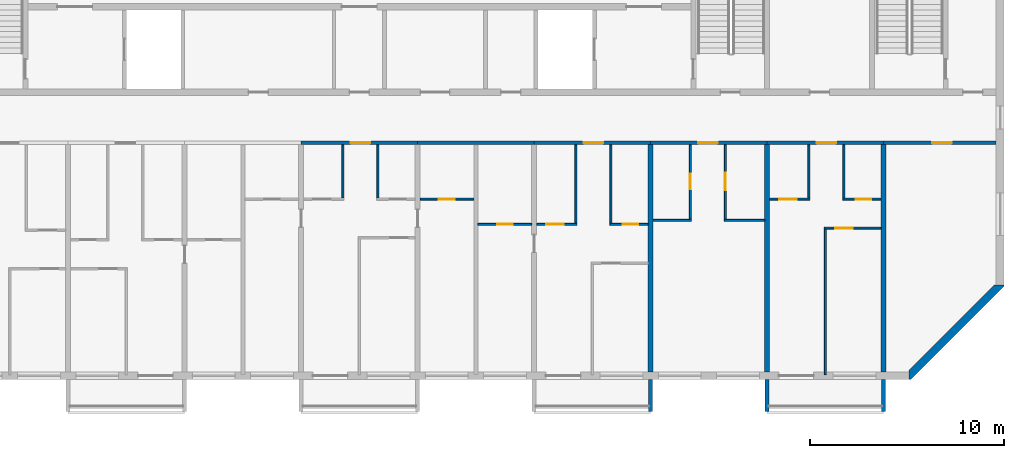
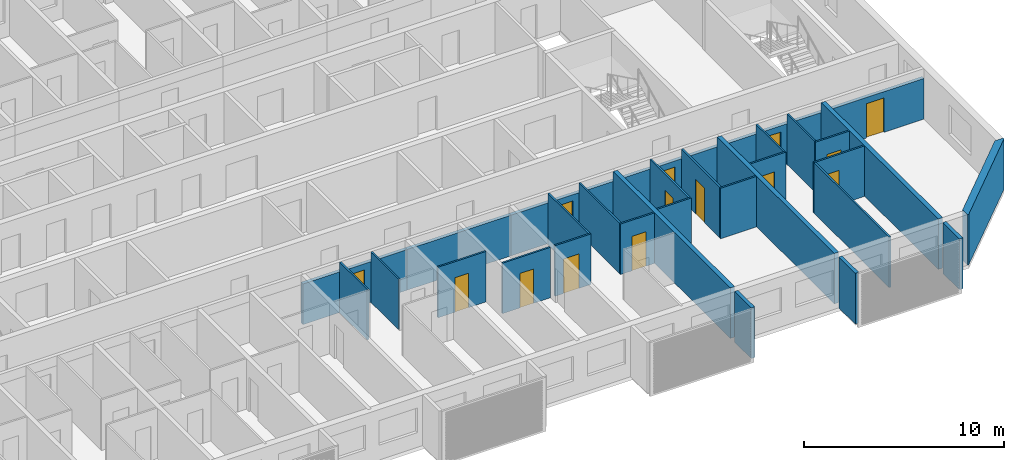
# One storey, part 5 of 26: 31 walls, 14 doors, 14 openings.
"""IFC4 building model written with IfcOpenShell, lengths in metres."""

from ifc_helpers import new_model, si_unit, direction, frame, frame_2d, origin, place, context, subcontext, project, spatial, polyline, rectangle, outline, extrude, source, transform, mapped, material, layer, layer_set, type_object, element, fill, save


model = new_model("IFC4")

# Units and contexts
model_context = context("Model", 3, precision=1e-05, world=origin(), true_north=direction((0.0, 1.0)))
body_context = subcontext(model_context, "Body", "Model", "MODEL_VIEW")
ifc_project = project(units=[si_unit("LENGTHUNIT", "METRE"), si_unit("AREAUNIT", "SQUARE_METRE"), si_unit("VOLUMEUNIT", "CUBIC_METRE"), si_unit("PLANEANGLEUNIT", "RADIAN"), si_unit("MASSUNIT", "GRAM", prefix="KILO")], contexts=[model_context])

# Site, building, storey
site_placement = place(None, origin())
site = spatial("IfcSite", under=ifc_project, at=site_placement, CompositionType="ELEMENT")
building_placement = place(site_placement, origin())
building = spatial("IfcBuilding", under=site, at=building_placement, Name="Poui Terraces", CompositionType="ELEMENT")
storey_placement = place(building_placement, frame((0.0, 0.0, 221.39990234375)))
storey = spatial("IfcBuildingStorey", under=building, at=storey_placement, Name="L61", CompositionType="ELEMENT", Elevation=221.39990234375)

# Wall, opening, door
ifc_material_1 = material(Name="Concrete 50 MPa", Category="concrete")
ifc_layer_1 = layer(ifc_material_1, 0.199951171875)
ifc_layer_set_1 = layer_set([ifc_layer_1], Name="Concrete 50 MPa")
wall_type_1 = type_object("IfcWallType", Name="CORRIDOR WALL 200 50MPa", PredefinedType="SHEAR", material=ifc_layer_set_1)
wall_1_placement = place(storey_placement, frame((48.0, 12.0, 0.0), z_axis=(0.0, 0.0, 1.0), x_axis=(1.0, 0.0, 0.0)))
wall_1 = element("IfcWall", 1, at=wall_1_placement, inside=storey, type_object=wall_type_1, Name="CORRIDOR WALL LINE B BAY 6", PredefinedType="SHEAR", context=body_context, shape_type="SweptSolid", body=[
    extrude(rectangle(XDim=6.0, YDim=0.199951171875, at=frame_2d((3.0, 0.0))), origin(), (0.0, 0.0, 1.0), 2.47998046875),
])
opening_1_placement = place(wall_1_placement, frame((2.550048828125, 0.0, 0.0)))
opening_1 = element("IfcOpeningElement", 2, at=opening_1_placement, cuts=wall_1, Name="Opening FD30S", PredefinedType="OPENING", context=body_context, shape_type="SweptSolid", body=[
    extrude(rectangle(XDim=1.0, YDim=2.10009765625, at=frame_2d((0.5, 1.050048828125))), frame((0.0, 0.10986328125, 0.0), z_axis=(0.0, -1.0, 0.0), x_axis=(1.0, 0.0, 0.0)), (0.0, 0.0, 1.0), 0.219970703125),
])
ifc_material_2 = material(Name="Steel fire door", Category="steel")
door_type_1 = type_object("IfcDoorType", Name="FLAT ENTRANCE DOOR 1000 X 2100", OperationType="NOTDEFINED", PredefinedType="DOOR", material=ifc_material_2)
door_1_placement = place(opening_1_placement, frame((1.0, 0.0, 0.0), z_axis=(0.0, 0.0, 1.0), x_axis=(-1.0, 0.0, 0.0)))
door_1 = element("IfcDoor", 3, at=door_1_placement, inside=storey, type_object=door_type_1, Name="FLAT ENTRANCE DOOR 077", OperationType="SINGLE_SWING_LEFT", OverallHeight=2.10009765625, OverallWidth=1.0, PredefinedType="DOOR", context=body_context, shape_type="SweptSolid", body=[
    extrude(rectangle(XDim=1.0, YDim=2.10009765625, at=frame_2d((0.5, 1.050048828125))), frame((0.0, 0.02490234375, 0.0), z_axis=(0.0, -1.0, 0.0), x_axis=(1.0, 0.0, 0.0)), (0.0, 0.0, 1.0), 0.050048828125),
])
fill(opening_1, door_1)

# Wall
wall_2_placement = place(storey_placement, frame((54.0, 12.0, 0.0), z_axis=(0.0, 0.0, 1.0), x_axis=(1.0, 0.0, 0.0)))
element("IfcWall", 4, at=wall_2_placement, inside=storey, type_object=wall_type_1, Name="CORRIDOR WALL LINE B BAY 7", PredefinedType="SHEAR", context=body_context, shape_type="SweptSolid", body=[
    extrude(rectangle(XDim=6.0, YDim=0.199951171875, at=frame_2d((3.0, 0.0))), origin(), (0.0, 0.0, 1.0), 2.47998046875),
])

# Wall, opening, door
wall_3_placement = place(storey_placement, frame((60.0, 12.0, 0.0), z_axis=(0.0, 0.0, 1.0), x_axis=(1.0, 0.0, 0.0)))
wall_3 = element("IfcWall", 5, at=wall_3_placement, inside=storey, type_object=wall_type_1, Name="CORRIDOR WALL LINE B BAY 8", PredefinedType="SHEAR", context=body_context, shape_type="SweptSolid", body=[
    extrude(rectangle(XDim=6.0, YDim=0.199951171875, at=frame_2d((3.0, 0.0))), origin(), (0.0, 0.0, 1.0), 2.47998046875),
])
opening_2_placement = place(wall_3_placement, frame((2.550048828125, 0.0, 0.0)))
opening_2 = element("IfcOpeningElement", 6, at=opening_2_placement, cuts=wall_3, Name="Opening FD30S", PredefinedType="OPENING", context=body_context, shape_type="SweptSolid", body=[
    extrude(rectangle(XDim=1.0, YDim=2.10009765625, at=frame_2d((0.5, 1.050048828125))), frame((0.0, 0.10986328125, 0.0), z_axis=(0.0, -1.0, 0.0), x_axis=(1.0, 0.0, 0.0)), (0.0, 0.0, 1.0), 0.219970703125),
])
door_2_placement = place(opening_2_placement, frame((1.0, 0.0, 0.0), z_axis=(0.0, 0.0, 1.0), x_axis=(-1.0, 0.0, 0.0)))
door_2 = element("IfcDoor", 7, at=door_2_placement, inside=storey, type_object=door_type_1, Name="FLAT ENTRANCE DOOR 084", OperationType="SINGLE_SWING_LEFT", OverallHeight=2.10009765625, OverallWidth=1.0, PredefinedType="DOOR", context=body_context, shape_type="SweptSolid", body=[
    extrude(rectangle(XDim=1.0, YDim=2.10009765625, at=frame_2d((0.5, 1.050048828125))), frame((0.0, 0.02490234375, 0.0), z_axis=(0.0, -1.0, 0.0), x_axis=(1.0, 0.0, 0.0)), (0.0, 0.0, 1.0), 0.050048828125),
])
fill(opening_2, door_2)

wall_4_placement = place(storey_placement, frame((66.0, 12.0, 0.0), z_axis=(0.0, 0.0, 1.0), x_axis=(1.0, 0.0, 0.0)))
wall_4 = element("IfcWall", 8, at=wall_4_placement, inside=storey, type_object=wall_type_1, Name="CORRIDOR WALL LINE B BAY 9", PredefinedType="SHEAR", context=body_context, shape_type="SweptSolid", body=[
    extrude(rectangle(XDim=6.0, YDim=0.199951171875, at=frame_2d((3.0, 0.0))), origin(), (0.0, 0.0, 1.0), 2.47998046875),
])
opening_3_placement = place(wall_4_placement, frame((2.449951171875, 0.0, 0.0)))
opening_3 = element("IfcOpeningElement", 9, at=opening_3_placement, cuts=wall_4, Name="Opening FD30S", PredefinedType="OPENING", context=body_context, shape_type="SweptSolid", body=[
    extrude(rectangle(XDim=1.0, YDim=2.10009765625, at=frame_2d((0.5, 1.050048828125))), frame((0.0, 0.10986328125, 0.0), z_axis=(0.0, -1.0, 0.0), x_axis=(1.0, 0.0, 0.0)), (0.0, 0.0, 1.0), 0.219970703125),
])
door_3_placement = place(opening_3_placement, frame((1.0, 0.0, 0.0), z_axis=(0.0, 0.0, 1.0), x_axis=(-1.0, 0.0, 0.0)))
door_3 = element("IfcDoor", 10, at=door_3_placement, inside=storey, type_object=door_type_1, Name="FLAT ENTRANCE DOOR 088", OperationType="SINGLE_SWING_RIGHT", OverallHeight=2.10009765625, OverallWidth=1.0, PredefinedType="DOOR", context=body_context, shape_type="SweptSolid", body=[
    extrude(rectangle(XDim=1.0, YDim=2.10009765625, at=frame_2d((0.5, 1.050048828125))), frame((0.0, 0.02490234375, 0.0), z_axis=(0.0, -1.0, 0.0), x_axis=(1.0, 0.0, 0.0)), (0.0, 0.0, 1.0), 0.050048828125),
])
fill(opening_3, door_3)

wall_5_placement = place(storey_placement, frame((72.0, 12.0, 0.0), z_axis=(0.0, 0.0, 1.0), x_axis=(1.0, 0.0, 0.0)))
wall_5 = element("IfcWall", 11, at=wall_5_placement, inside=storey, type_object=wall_type_1, Name="CORRIDOR WALL LINE B BAY 10", PredefinedType="SHEAR", context=body_context, shape_type="SweptSolid", body=[
    extrude(rectangle(XDim=6.0, YDim=0.199951171875, at=frame_2d((3.0, 0.0))), origin(), (0.0, 0.0, 1.0), 2.47998046875),
])
opening_4_placement = place(wall_5_placement, frame((2.550048828125, 0.0, 0.0)))
opening_4 = element("IfcOpeningElement", 12, at=opening_4_placement, cuts=wall_5, Name="Opening FD30S", PredefinedType="OPENING", context=body_context, shape_type="SweptSolid", body=[
    extrude(rectangle(XDim=1.0, YDim=2.10009765625, at=frame_2d((0.5, 1.050048828125))), frame((0.0, 0.10986328125, 0.0), z_axis=(0.0, -1.0, 0.0), x_axis=(1.0, 0.0, 0.0)), (0.0, 0.0, 1.0), 0.219970703125),
])
door_4_placement = place(opening_4_placement, frame((1.0, 0.0, 0.0), z_axis=(0.0, 0.0, 1.0), x_axis=(-1.0, 0.0, 0.0)))
door_4 = element("IfcDoor", 13, at=door_4_placement, inside=storey, type_object=door_type_1, Name="FLAT ENTRANCE DOOR 091", OperationType="SINGLE_SWING_LEFT", OverallHeight=2.10009765625, OverallWidth=1.0, PredefinedType="DOOR", context=body_context, shape_type="SweptSolid", body=[
    extrude(rectangle(XDim=1.0, YDim=2.10009765625, at=frame_2d((0.5, 1.050048828125))), frame((0.0, 0.02490234375, 0.0), z_axis=(0.0, -1.0, 0.0), x_axis=(1.0, 0.0, 0.0)), (0.0, 0.0, 1.0), 0.050048828125),
])
fill(opening_4, door_4)

wall_6_placement = place(storey_placement, frame((78.0, 12.0, 0.0), z_axis=(0.0, 0.0, 1.0), x_axis=(1.0, 0.0, 0.0)))
wall_6 = element("IfcWall", 14, at=wall_6_placement, inside=storey, type_object=wall_type_1, Name="CORRIDOR WALL LINE B BAY 11", PredefinedType="SHEAR", context=body_context, shape_type="SweptSolid", body=[
    extrude(rectangle(XDim=5.800048828125, YDim=0.199951171875, at=frame_2d((2.89990234375, 0.0))), origin(), (0.0, 0.0, 1.0), 2.47998046875),
])
opening_5_placement = place(wall_6_placement, frame((2.5, 0.0, 0.0)))
opening_5 = element("IfcOpeningElement", 15, at=opening_5_placement, cuts=wall_6, Name="Opening D100", PredefinedType="OPENING", context=body_context, shape_type="SweptSolid", body=[
    extrude(rectangle(XDim=1.0, YDim=2.10009765625, at=frame_2d((0.5, 1.050048828125))), frame((0.0, 0.10986328125, 0.0), z_axis=(0.0, -1.0, 0.0), x_axis=(1.0, 0.0, 0.0)), (0.0, 0.0, 1.0), 0.219970703125),
])
ifc_material_3 = material(Name="Solid core timber door", Category="wood")
door_type_2 = type_object("IfcDoorType", Name="ACCESSIBLE INTERNAL DOOR 1000 X 2100", OperationType="NOTDEFINED", PredefinedType="DOOR", material=ifc_material_3)
door_5_placement = place(opening_5_placement, frame((1.0, 0.0, 0.0), z_axis=(0.0, 0.0, 1.0), x_axis=(-1.0, 0.0, 0.0)))
door_5 = element("IfcDoor", 16, at=door_5_placement, inside=storey, type_object=door_type_2, Name="ACCESSIBLE INTERNAL DOOR 094", OperationType="SINGLE_SWING_RIGHT", OverallHeight=2.10009765625, OverallWidth=1.0, PredefinedType="DOOR", context=body_context, shape_type="SweptSolid", body=[
    extrude(rectangle(XDim=1.0, YDim=2.10009765625, at=frame_2d((0.5, 1.050048828125))), frame((0.0, 0.02490234375, 0.0), z_axis=(0.0, -1.0, 0.0), x_axis=(1.0, 0.0, 0.0)), (0.0, 0.0, 1.0), 0.050048828125),
])
fill(opening_5, door_5)

# Walls
ifc_layer_2 = layer(ifc_material_1, 0.25)
ifc_layer_set_2 = layer_set([ifc_layer_2], Name="Concrete 50 MPa")
wall_type_2 = type_object("IfcWallType", Name="CROSS WALL 250 50MPa", PredefinedType="SHEAR", material=ifc_layer_set_2)
for number, where, z_axis, x_axis, name in (
    (17, (66.0, 0.199951171875, 0.0), (0.0, 0.0, 1.0), (0.0, 1.0, 0.0), "CROSS WALL LINE 12 SOUTH"),
    (18, (72.0, 0.199951171875, 0.0), (0.0, 0.0, 1.0), (0.0, 1.0, 0.0), "CROSS WALL LINE 13 SOUTH"),
    (19, (78.0, 0.199951171875, 0.0), (0.0, 0.0, 1.0), (0.0, 1.0, 0.0), "CROSS WALL LINE 14 SOUTH"),
):
    element("IfcWall", number, at=place(storey_placement, frame(where, z_axis=z_axis, x_axis=x_axis)), inside=storey, type_object=wall_type_2, Name=name, PredefinedType="SHEAR", context=body_context, shape_type="SweptSolid", body=[
        extrude(rectangle(XDim=11.699951171875, YDim=0.25, at=frame_2d((5.85009765625, 0.0))), origin(), (0.0, 0.0, 1.0), 3.080078125),
    ])

# Wall, opening, door
ifc_material_4 = material(Name="Plasterboard partition")
ifc_layer_3 = layer(ifc_material_4, 0.10009765625)
ifc_layer_set_3 = layer_set([ifc_layer_3], Name="Plasterboard partition")
wall_type_3 = type_object("IfcWallType", Name="FLAT PARTITION 100", PredefinedType="PARTITIONING", material=ifc_layer_set_3)
wall_7_placement = place(storey_placement, frame((74.949951171875, 7.60009765625, 0.0), z_axis=(0.0, 0.0, 1.0), x_axis=(1.0, 0.0, 0.0)))
wall_7 = element("IfcWall", 20, at=wall_7_placement, inside=storey, type_object=wall_type_3, Name="FLAT PARTITION 100", PredefinedType="PARTITIONING", context=body_context, shape_type="SweptSolid", body=[
    extrude(rectangle(XDim=2.9150390625, YDim=0.10009765625, at=frame_2d((1.45751953125, 0.0))), origin(), (0.0, 0.0, 1.0), 3.080078125),
])
opening_6_placement = place(wall_7_placement, frame((0.550048828125, 0.0, 0.0)))
opening_6 = element("IfcOpeningElement", 21, at=opening_6_placement, cuts=wall_7, Name="Opening D90", PredefinedType="OPENING", context=body_context, shape_type="SweptSolid", body=[
    extrude(rectangle(XDim=0.89990234375, YDim=2.10009765625, at=frame_2d((0.449951171875, 1.050048828125))), frame((0.0, 0.06005859375, 0.0), z_axis=(0.0, -1.0, 0.0), x_axis=(1.0, 0.0, 0.0)), (0.0, 0.0, 1.0), 0.1201171875),
])
door_type_3 = type_object("IfcDoorType", Name="INTERNAL DOOR 900 X 2100", OperationType="NOTDEFINED", PredefinedType="DOOR", material=ifc_material_3)
door_6_placement = place(opening_6_placement, origin())
door_6 = element("IfcDoor", 22, at=door_6_placement, inside=storey, type_object=door_type_3, Name="INTERNAL DOOR 092", OperationType="SINGLE_SWING_RIGHT", OverallHeight=2.10009765625, OverallWidth=0.89990234375, PredefinedType="DOOR", context=body_context, shape_type="SweptSolid", body=[
    extrude(rectangle(XDim=0.89990234375, YDim=2.10009765625, at=frame_2d((0.449951171875, 1.050048828125))), frame((0.0, 0.02490234375, 0.0), z_axis=(0.0, -1.0, 0.0), x_axis=(1.0, 0.0, 0.0)), (0.0, 0.0, 1.0), 0.050048828125),
])
fill(opening_6, door_6)

wall_8_placement = place(storey_placement, frame((57.10009765625, 7.800048828125, 0.0), z_axis=(0.0, 0.0, 1.0), x_axis=(1.0, 0.0, 0.0)))
wall_8 = element("IfcWall", 23, at=wall_8_placement, inside=storey, type_object=wall_type_3, Name="FLAT PARTITION 100", PredefinedType="PARTITIONING", context=body_context, shape_type="SweptSolid", body=[
    extrude(rectangle(XDim=2.764892578125, YDim=0.10009765625, at=frame_2d((1.38232421875, 0.0))), origin(), (0.0, 0.0, 1.0), 3.080078125),
])
opening_7_placement = place(wall_8_placement, frame((1.0, 0.0, 0.0)))
opening_7 = element("IfcOpeningElement", 24, at=opening_7_placement, cuts=wall_8, Name="Opening D80", PredefinedType="OPENING", context=body_context, shape_type="SweptSolid", body=[
    extrude(rectangle(XDim=0.800048828125, YDim=2.10009765625, at=frame_2d((0.39990234375, 1.050048828125))), frame((0.0, 0.06005859375, 0.0), z_axis=(0.0, -1.0, 0.0), x_axis=(1.0, 0.0, 0.0)), (0.0, 0.0, 1.0), 0.1201171875),
])
door_type_4 = type_object("IfcDoorType", Name="BATHROOM, LAUNDRY AND STORE DOOR 800 X 2100", OperationType="NOTDEFINED", PredefinedType="DOOR", material=ifc_material_3)
door_7_placement = place(opening_7_placement, origin())
door_7 = element("IfcDoor", 25, at=door_7_placement, inside=storey, type_object=door_type_4, Name="BATHROOM, LAUNDRY AND STORE DOOR 081", OperationType="SINGLE_SWING_RIGHT", OverallHeight=2.10009765625, OverallWidth=0.800048828125, PredefinedType="DOOR", context=body_context, shape_type="SweptSolid", body=[
    extrude(rectangle(XDim=0.800048828125, YDim=2.10009765625, at=frame_2d((0.39990234375, 1.050048828125))), frame((0.0, 0.02490234375, 0.0), z_axis=(0.0, -1.0, 0.0), x_axis=(1.0, 0.0, 0.0)), (0.0, 0.0, 1.0), 0.050048828125),
])
fill(opening_7, door_7)

wall_9_placement = place(storey_placement, frame((60.135009765625, 7.800048828125, 0.0), z_axis=(0.0, 0.0, 1.0), x_axis=(1.0, 0.0, 0.0)))
wall_9 = element("IfcWall", 26, at=wall_9_placement, inside=storey, type_object=wall_type_3, Name="FLAT PARTITION 100", PredefinedType="PARTITIONING", context=body_context, shape_type="SweptSolid", body=[
    extrude(rectangle(XDim=2.06494140625, YDim=0.10009765625, at=frame_2d((1.032470703125, 0.0))), origin(), (0.0, 0.0, 1.0), 3.080078125),
])
opening_8_placement = place(wall_9_placement, frame((0.489990234375, 0.0, 0.0)))
opening_8 = element("IfcOpeningElement", 27, at=opening_8_placement, cuts=wall_9, Name="Opening D90", PredefinedType="OPENING", context=body_context, shape_type="SweptSolid", body=[
    extrude(rectangle(XDim=0.89990234375, YDim=2.10009765625, at=frame_2d((0.449951171875, 1.050048828125))), frame((0.0, 0.06005859375, 0.0), z_axis=(0.0, -1.0, 0.0), x_axis=(1.0, 0.0, 0.0)), (0.0, 0.0, 1.0), 0.1201171875),
])
door_8_placement = place(opening_8_placement, origin())
door_8 = element("IfcDoor", 28, at=door_8_placement, inside=storey, type_object=door_type_3, Name="INTERNAL DOOR 083", OperationType="SINGLE_SWING_RIGHT", OverallHeight=2.10009765625, OverallWidth=0.89990234375, PredefinedType="DOOR", context=body_context, shape_type="SweptSolid", body=[
    extrude(rectangle(XDim=0.89990234375, YDim=2.10009765625, at=frame_2d((0.449951171875, 1.050048828125))), frame((0.0, 0.02490234375, 0.0), z_axis=(0.0, -1.0, 0.0), x_axis=(1.0, 0.0, 0.0)), (0.0, 0.0, 1.0), 0.050048828125),
])
fill(opening_8, door_8)

wall_10_placement = place(storey_placement, frame((63.89990234375, 7.800048828125, 0.0), z_axis=(0.0, 0.0, 1.0), x_axis=(1.0, 0.0, 0.0)))
wall_10 = element("IfcWall", 29, at=wall_10_placement, inside=storey, type_object=wall_type_3, Name="FLAT PARTITION 100", PredefinedType="PARTITIONING", context=body_context, shape_type="SweptSolid", body=[
    extrude(rectangle(XDim=1.965087890625, YDim=0.10009765625, at=frame_2d((0.982421875, 0.0))), origin(), (0.0, 0.0, 1.0), 3.080078125),
])
opening_9_placement = place(wall_10_placement, frame((0.675048828125, 0.0, 0.0)))
opening_9 = element("IfcOpeningElement", 30, at=opening_9_placement, cuts=wall_10, Name="Opening D80", PredefinedType="OPENING", context=body_context, shape_type="SweptSolid", body=[
    extrude(rectangle(XDim=0.800048828125, YDim=2.10009765625, at=frame_2d((0.39990234375, 1.050048828125))), frame((0.0, 0.06005859375, 0.0), z_axis=(0.0, -1.0, 0.0), x_axis=(1.0, 0.0, 0.0)), (0.0, 0.0, 1.0), 0.1201171875),
])
door_9_placement = place(opening_9_placement, origin())
door_9 = element("IfcDoor", 31, at=door_9_placement, inside=storey, type_object=door_type_4, Name="BATHROOM, LAUNDRY AND STORE DOOR 086", OperationType="SINGLE_SWING_LEFT", OverallHeight=2.10009765625, OverallWidth=0.800048828125, PredefinedType="DOOR", context=body_context, shape_type="SweptSolid", body=[
    extrude(rectangle(XDim=0.800048828125, YDim=2.10009765625, at=frame_2d((0.39990234375, 1.050048828125))), frame((0.0, 0.02490234375, 0.0), z_axis=(0.0, -1.0, 0.0), x_axis=(1.0, 0.0, 0.0)), (0.0, 0.0, 1.0), 0.050048828125),
])
fill(opening_9, door_9)

# Walls
wall_11_placement = place(storey_placement, frame((66.135009765625, 8.0, 0.0), z_axis=(0.0, 0.0, 1.0), x_axis=(1.0, 0.0, 0.0)))
element("IfcWall", 32, at=wall_11_placement, inside=storey, type_object=wall_type_3, Name="FLAT PARTITION 100", PredefinedType="PARTITIONING", context=body_context, shape_type="SweptSolid", body=[
    extrude(rectangle(XDim=1.965087890625, YDim=0.10009765625, at=frame_2d((0.982421875, 0.0))), origin(), (0.0, 0.0, 1.0), 3.080078125),
])
wall_12_placement = place(storey_placement, frame((69.800048828125, 8.0, 0.0), z_axis=(0.0, 0.0, 1.0), x_axis=(1.0, 0.0, 0.0)))
element("IfcWall", 33, at=wall_12_placement, inside=storey, type_object=wall_type_3, Name="FLAT PARTITION 100", PredefinedType="PARTITIONING", context=body_context, shape_type="SweptSolid", body=[
    extrude(rectangle(XDim=2.06494140625, YDim=0.10009765625, at=frame_2d((1.032470703125, 0.0))), origin(), (0.0, 0.0, 1.0), 3.080078125),
])

# Wall, opening, door
wall_13_placement = place(storey_placement, frame((54.135009765625, 9.10009765625, 0.0), z_axis=(0.0, 0.0, 1.0), x_axis=(1.0, 0.0, 0.0)))
wall_13 = element("IfcWall", 34, at=wall_13_placement, inside=storey, type_object=wall_type_3, Name="FLAT PARTITION 100", PredefinedType="PARTITIONING", context=body_context, shape_type="SweptSolid", body=[
    extrude(rectangle(XDim=2.764892578125, YDim=0.10009765625, at=frame_2d((1.38232421875, 0.0))), origin(), (0.0, 0.0, 1.0), 3.080078125),
])
opening_10_placement = place(wall_13_placement, frame((0.965087890625, 0.0, 0.0)))
opening_10 = element("IfcOpeningElement", 35, at=opening_10_placement, cuts=wall_13, Name="Opening D80", PredefinedType="OPENING", context=body_context, shape_type="SweptSolid", body=[
    extrude(rectangle(XDim=0.800048828125, YDim=2.10009765625, at=frame_2d((0.39990234375, 1.050048828125))), frame((0.0, 0.06005859375, 0.0), z_axis=(0.0, -1.0, 0.0), x_axis=(1.0, 0.0, 0.0)), (0.0, 0.0, 1.0), 0.1201171875),
])
door_10_placement = place(opening_10_placement, origin())
door_10 = element("IfcDoor", 36, at=door_10_placement, inside=storey, type_object=door_type_4, Name="BATHROOM, LAUNDRY AND STORE DOOR 074", OperationType="SINGLE_SWING_LEFT", OverallHeight=2.10009765625, OverallWidth=0.800048828125, PredefinedType="DOOR", context=body_context, shape_type="SweptSolid", body=[
    extrude(rectangle(XDim=0.800048828125, YDim=2.10009765625, at=frame_2d((0.39990234375, 1.050048828125))), frame((0.0, 0.02490234375, 0.0), z_axis=(0.0, -1.0, 0.0), x_axis=(1.0, 0.0, 0.0)), (0.0, 0.0, 1.0), 0.050048828125),
])
fill(opening_10, door_10)

wall_14_placement = place(storey_placement, frame((72.135009765625, 9.10009765625, 0.0), z_axis=(0.0, 0.0, 1.0), x_axis=(1.0, 0.0, 0.0)))
wall_14 = element("IfcWall", 37, at=wall_14_placement, inside=storey, type_object=wall_type_3, Name="FLAT PARTITION 100", PredefinedType="PARTITIONING", context=body_context, shape_type="SweptSolid", body=[
    extrude(rectangle(XDim=2.06494140625, YDim=0.10009765625, at=frame_2d((1.032470703125, 0.0))), origin(), (0.0, 0.0, 1.0), 3.080078125),
])
opening_11_placement = place(wall_14_placement, frame((0.489990234375, 0.0, 0.0)))
opening_11 = element("IfcOpeningElement", 38, at=opening_11_placement, cuts=wall_14, Name="Opening D90", PredefinedType="OPENING", context=body_context, shape_type="SweptSolid", body=[
    extrude(rectangle(XDim=0.89990234375, YDim=2.10009765625, at=frame_2d((0.449951171875, 1.050048828125))), frame((0.0, 0.06005859375, 0.0), z_axis=(0.0, -1.0, 0.0), x_axis=(1.0, 0.0, 0.0)), (0.0, 0.0, 1.0), 0.1201171875),
])
door_11_placement = place(opening_11_placement, origin())
door_11 = element("IfcDoor", 39, at=door_11_placement, inside=storey, type_object=door_type_3, Name="INTERNAL DOOR 090", OperationType="SINGLE_SWING_RIGHT", OverallHeight=2.10009765625, OverallWidth=0.89990234375, PredefinedType="DOOR", context=body_context, shape_type="SweptSolid", body=[
    extrude(rectangle(XDim=0.89990234375, YDim=2.10009765625, at=frame_2d((0.449951171875, 1.050048828125))), frame((0.0, 0.02490234375, 0.0), z_axis=(0.0, -1.0, 0.0), x_axis=(1.0, 0.0, 0.0)), (0.0, 0.0, 1.0), 0.050048828125),
])
fill(opening_11, door_11)

wall_15_placement = place(storey_placement, frame((75.89990234375, 9.10009765625, 0.0), z_axis=(0.0, 0.0, 1.0), x_axis=(1.0, 0.0, 0.0)))
wall_15 = element("IfcWall", 40, at=wall_15_placement, inside=storey, type_object=wall_type_3, Name="FLAT PARTITION 100", PredefinedType="PARTITIONING", context=body_context, shape_type="SweptSolid", body=[
    extrude(rectangle(XDim=1.965087890625, YDim=0.10009765625, at=frame_2d((0.982421875, 0.0))), origin(), (0.0, 0.0, 1.0), 3.080078125),
])
opening_12_placement = place(wall_15_placement, frame((0.675048828125, 0.0, 0.0)))
opening_12 = element("IfcOpeningElement", 41, at=opening_12_placement, cuts=wall_15, Name="Opening D80", PredefinedType="OPENING", context=body_context, shape_type="SweptSolid", body=[
    extrude(rectangle(XDim=0.800048828125, YDim=2.10009765625, at=frame_2d((0.39990234375, 1.050048828125))), frame((0.0, 0.06005859375, 0.0), z_axis=(0.0, -1.0, 0.0), x_axis=(1.0, 0.0, 0.0)), (0.0, 0.0, 1.0), 0.1201171875),
])
door_12_placement = place(opening_12_placement, origin())
door_12 = element("IfcDoor", 42, at=door_12_placement, inside=storey, type_object=door_type_4, Name="BATHROOM, LAUNDRY AND STORE DOOR 093", OperationType="SINGLE_SWING_LEFT", OverallHeight=2.10009765625, OverallWidth=0.800048828125, PredefinedType="DOOR", context=body_context, shape_type="SweptSolid", body=[
    extrude(rectangle(XDim=0.800048828125, YDim=2.10009765625, at=frame_2d((0.39990234375, 1.050048828125))), frame((0.0, 0.02490234375, 0.0), z_axis=(0.0, -1.0, 0.0), x_axis=(1.0, 0.0, 0.0)), (0.0, 0.0, 1.0), 0.050048828125),
])
fill(opening_12, door_12)

# Walls
for number, where, z_axis, x_axis, name in (
    (43, (50.14990234375, 9.14990234375, 0.0), (0.0, 0.0, 1.0), (0.0, 1.0, 0.0), "FLAT PARTITION 100"),
    (44, (51.949951171875, 9.14990234375, 0.0), (0.0, 0.0, 1.0), (0.0, 1.0, 0.0), "FLAT PARTITION 100"),
):
    element("IfcWall", number, at=place(storey_placement, frame(where, z_axis=z_axis, x_axis=x_axis)), inside=storey, type_object=wall_type_3, Name=name, PredefinedType="PARTITIONING", context=body_context, shape_type="SweptSolid", body=[
        extrude(rectangle(XDim=2.739990234375, YDim=0.10009765625, at=frame_2d((1.3701171875, 0.0))), origin(), (0.0, 0.0, 1.0), 3.080078125),
    ])
for number, where, z_axis, x_axis, name in (
    (45, (62.14990234375, 7.85009765625, 0.0), (0.0, 0.0, 1.0), (0.0, 1.0, 0.0), "FLAT PARTITION 100"),
    (46, (63.949951171875, 7.85009765625, 0.0), (0.0, 0.0, 1.0), (0.0, 1.0, 0.0), "FLAT PARTITION 100"),
):
    element("IfcWall", number, at=place(storey_placement, frame(where, z_axis=z_axis, x_axis=x_axis)), inside=storey, type_object=wall_type_3, Name=name, PredefinedType="PARTITIONING", context=body_context, shape_type="SweptSolid", body=[
        extrude(rectangle(XDim=4.039794921875, YDim=0.10009765625, at=frame_2d((2.02001953125, 0.0))), origin(), (0.0, 0.0, 1.0), 3.080078125),
    ])

# Wall, opening, door
wall_16_placement = place(storey_placement, frame((68.050048828125, 8.050048828125, 0.0), z_axis=(0.0, 0.0, 1.0), x_axis=(0.0, 1.0, 0.0)))
wall_16 = element("IfcWall", 47, at=wall_16_placement, inside=storey, type_object=wall_type_3, Name="FLAT PARTITION 100", PredefinedType="PARTITIONING", context=body_context, shape_type="SweptSolid", body=[
    extrude(rectangle(XDim=3.83984375, YDim=0.10009765625, at=frame_2d((1.919921875, 0.0))), origin(), (0.0, 0.0, 1.0), 3.080078125),
])
opening_13_placement = place(wall_16_placement, frame((1.550048828125, 0.0, 0.0)))
opening_13 = element("IfcOpeningElement", 48, at=opening_13_placement, cuts=wall_16, Name="Opening D80", PredefinedType="OPENING", context=body_context, shape_type="SweptSolid", body=[
    extrude(rectangle(XDim=0.800048828125, YDim=2.10009765625, at=frame_2d((0.39990234375, 1.050048828125))), frame((0.0, 0.06005859375, 0.0), z_axis=(0.0, -1.0, 0.0), x_axis=(1.0, 0.0, 0.0)), (0.0, 0.0, 1.0), 0.1201171875),
])
door_13_placement = place(opening_13_placement, origin())
door_13 = element("IfcDoor", 49, at=door_13_placement, inside=storey, type_object=door_type_4, Name="BATHROOM, LAUNDRY AND STORE DOOR 087", OperationType="SINGLE_SWING_RIGHT", OverallHeight=2.10009765625, OverallWidth=0.800048828125, PredefinedType="DOOR", context=body_context, shape_type="SweptSolid", body=[
    extrude(rectangle(XDim=0.800048828125, YDim=2.10009765625, at=frame_2d((0.39990234375, 1.050048828125))), frame((0.0, 0.02490234375, 0.0), z_axis=(0.0, -1.0, 0.0), x_axis=(1.0, 0.0, 0.0)), (0.0, 0.0, 1.0), 0.050048828125),
])
fill(opening_13, door_13)

wall_17_placement = place(storey_placement, frame((69.85009765625, 8.050048828125, 0.0), z_axis=(0.0, 0.0, 1.0), x_axis=(0.0, 1.0, 0.0)))
wall_17 = element("IfcWall", 50, at=wall_17_placement, inside=storey, type_object=wall_type_3, Name="FLAT PARTITION 100", PredefinedType="PARTITIONING", context=body_context, shape_type="SweptSolid", body=[
    extrude(rectangle(XDim=3.83984375, YDim=0.10009765625, at=frame_2d((1.919921875, 0.0))), origin(), (0.0, 0.0, 1.0), 3.080078125),
])
opening_14_placement = place(wall_17_placement, frame((1.5, 0.0, 0.0)))
opening_14 = element("IfcOpeningElement", 51, at=opening_14_placement, cuts=wall_17, Name="Opening D90", PredefinedType="OPENING", context=body_context, shape_type="SweptSolid", body=[
    extrude(rectangle(XDim=0.89990234375, YDim=2.10009765625, at=frame_2d((0.449951171875, 1.050048828125))), frame((0.0, 0.06005859375, 0.0), z_axis=(0.0, -1.0, 0.0), x_axis=(1.0, 0.0, 0.0)), (0.0, 0.0, 1.0), 0.1201171875),
])
door_14_placement = place(opening_14_placement, frame((0.89990234375, 0.0, 0.0), z_axis=(0.0, 0.0, 1.0), x_axis=(-1.0, 0.0, 0.0)))
door_14 = element("IfcDoor", 52, at=door_14_placement, inside=storey, type_object=door_type_3, Name="INTERNAL DOOR 089", OperationType="SINGLE_SWING_RIGHT", OverallHeight=2.10009765625, OverallWidth=0.89990234375, PredefinedType="DOOR", context=body_context, shape_type="SweptSolid", body=[
    extrude(rectangle(XDim=0.89990234375, YDim=2.10009765625, at=frame_2d((0.449951171875, 1.050048828125))), frame((0.0, 0.02490234375, 0.0), z_axis=(0.0, -1.0, 0.0), x_axis=(1.0, 0.0, 0.0)), (0.0, 0.0, 1.0), 0.050048828125),
])
fill(opening_14, door_14)

# Walls
wall_18_placement = place(storey_placement, frame((74.14990234375, 9.14990234375, 0.0), z_axis=(0.0, 0.0, 1.0), x_axis=(0.0, 1.0, 0.0)))
element("IfcWall", 53, at=wall_18_placement, inside=storey, type_object=wall_type_3, Name="FLAT PARTITION 100", PredefinedType="PARTITIONING", context=body_context, shape_type="SweptSolid", body=[
    extrude(rectangle(XDim=2.739990234375, YDim=0.10009765625, at=frame_2d((1.3701171875, 0.0))), origin(), (0.0, 0.0, 1.0), 3.080078125),
])
wall_19_placement = place(storey_placement, frame((75.0, 0.06005859375, 0.0), z_axis=(0.0, 0.0, 1.0), x_axis=(0.0, 1.0, 0.0)))
element("IfcWall", 54, at=wall_19_placement, inside=storey, type_object=wall_type_3, Name="FLAT PARTITION 100", PredefinedType="PARTITIONING", context=body_context, shape_type="SweptSolid", body=[
    extrude(rectangle(XDim=7.489990234375, YDim=0.10009765625, at=frame_2d((3.7451171875, 0.0))), origin(), (0.0, 0.0, 1.0), 3.080078125),
])
wall_20_placement = place(storey_placement, frame((75.949951171875, 9.14990234375, 0.0), z_axis=(0.0, 0.0, 1.0), x_axis=(0.0, 1.0, 0.0)))
element("IfcWall", 55, at=wall_20_placement, inside=storey, type_object=wall_type_3, Name="FLAT PARTITION 100", PredefinedType="PARTITIONING", context=body_context, shape_type="SweptSolid", body=[
    extrude(rectangle(XDim=2.739990234375, YDim=0.10009765625, at=frame_2d((1.3701171875, 0.0))), origin(), (0.0, 0.0, 1.0), 3.080078125),
])
ifc_material_5 = material(Name="Precast concrete 40 MPa", Category="concrete")
ifc_layer_4 = layer(ifc_material_5, 0.39990234375)
ifc_layer_set_4 = layer_set([ifc_layer_4], Name="Precast concrete 40 MPa")
wall_type_4 = type_object("IfcWallType", Name="TERRACOTTA CLAD CHAMFER WALL 400", PredefinedType="STANDARD", material=ifc_layer_set_4)
wall_21_placement = place(storey_placement, origin())
element("IfcWall", 56, at=wall_21_placement, inside=storey, type_object=wall_type_4, Name="CHAMFER WALL CH01", PredefinedType="STANDARD", context=body_context, shape_type="SweptSolid", body=[
    extrude(outline(polyline([(79.317138671875, -0.199951171875), (79.39990234375, -0.199951171875), (84.199951171875, 4.60009765625), (84.199951171875, 4.682861328125), (83.71728515625, 4.682861328125), (79.317138671875, 0.28271484375), (79.317138671875, -0.199951171875)])), origin(), (0.0, 0.0, 1.0), 3.080078125),
])
ifc_layer_5 = layer(ifc_material_5, 0.199951171875)
ifc_layer_set_5 = layer_set([ifc_layer_5], Name="Precast concrete 40 MPa")
wall_type_5 = type_object("IfcWallType", Name="REAR FIN 200", PredefinedType="STANDARD", material=ifc_layer_set_5)
shared_shape = source(origin(), body_context, "Body", "SweptSolid", [
    extrude(outline(polyline([(0.0, 0.0), (0.2001953125, 0.0), (0.2001953125, 1.650146484375), (0.0, 1.650146484375), (0.0, 0.0)])), origin(), (0.0, 0.0, 1.0), 3.10009765625),
])
for number, where, name in (
    (57, (65.89990234375, -1.85009765625, 0.0), "REAR FIN"),
    (58, (71.89990234375, -1.85009765625, 0.0), "REAR FIN"),
    (59, (77.89990234375, -1.85009765625, 0.0), "REAR FIN"),
):
    element("IfcWall", number, at=place(storey_placement, frame(where)), inside=storey, type_object=wall_type_5, Name=name, PredefinedType="STANDARD", context=body_context, shape_type="MappedRepresentation", body=[
        mapped(shared_shape, transform((0.0, 0.0, 0.0))),
    ])

save(model, "model.ifc")
